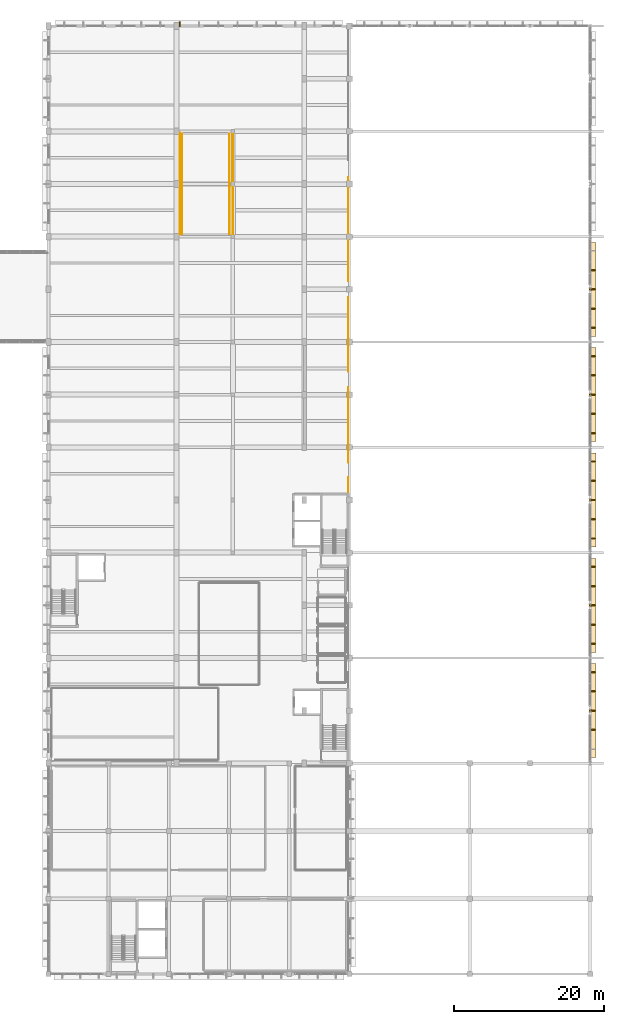
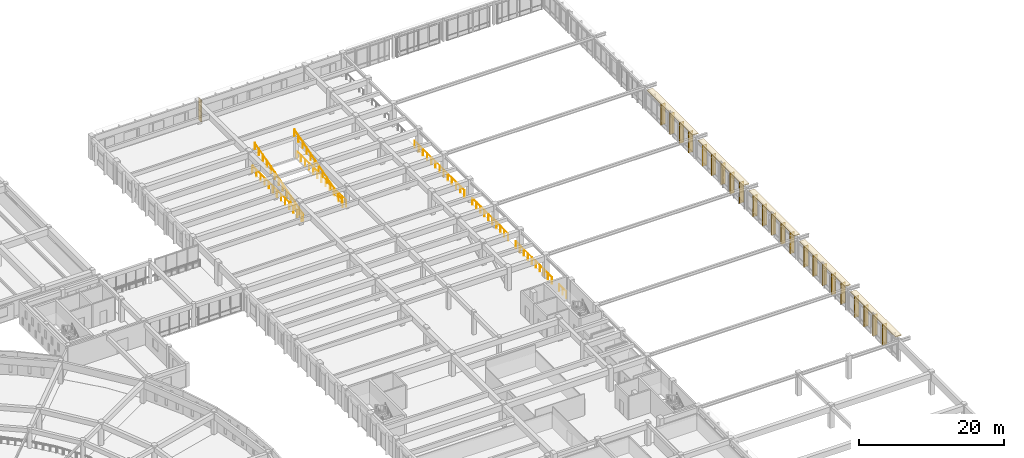
# One storey, part 97 of 98: 29 coverings, 8 railings.
"""IFC4 building model written with IfcOpenShell, lengths in metres."""

from ifc_helpers import new_model, si_unit, direction, frame, origin, origin_2d, place, context, subcontext, project, spatial, rectangle, circle, extrude, material, layer, layer_set, type_object, element, save


model = new_model("IFC4")

# Units and contexts
model_context = context("Model", 3, precision=1e-05, world=origin(), true_north=direction((0.0, 1.0)))
body_context = subcontext(model_context, "Body", "Model", "MODEL_VIEW")
ifc_project = project(units=[si_unit("LENGTHUNIT", "METRE"), si_unit("AREAUNIT", "SQUARE_METRE"), si_unit("VOLUMEUNIT", "CUBIC_METRE"), si_unit("PLANEANGLEUNIT", "RADIAN"), si_unit("MASSUNIT", "GRAM", prefix="KILO")], contexts=[model_context])

# Site, building, storey
site_placement = place(None, origin())
site = spatial("IfcSite", under=ifc_project, at=site_placement, CompositionType="ELEMENT")
building_placement = place(site_placement, origin())
building = spatial("IfcBuilding", under=site, at=building_placement, Name="Larkveld Mobility Hub", CompositionType="ELEMENT")
storey_placement = place(building_placement, frame((0.0, 0.0, 4.5)))
storey = spatial("IfcBuildingStorey", under=building, at=storey_placement, Name="L01", CompositionType="ELEMENT", Elevation=4.5)

# Coverings
ifc_material_1 = material(Name="Precast concrete C50/60", Category="concrete")
ifc_layer_1 = layer(ifc_material_1, 0.14990234375, Name="Precast concrete C50/60", Category="concrete")
ifc_layer_set_1 = layer_set([ifc_layer_1], Name="Precast concrete C50/60")
covering_type_1 = type_object("IfcCoveringType", Name="COV-QSL-H01", PredefinedType="CLADDING", material=ifc_layer_set_1)
for number, where, z_axis, x_axis, name in (
    (1, (184.340087890625, 35.0, 3.550048828125), (0.0, 0.0, 1.0), (0.0, 1.0, 0.0), "Precast Quebra-Sol Horizontal Sunbreaker QSH-001"),
    (2, (184.340087890625, 49.0, 3.550048828125), (0.0, 0.0, 1.0), (0.0, 1.0, 0.0), "Precast Quebra-Sol Horizontal Sunbreaker QSH-007"),
    (3, (184.340087890625, 63.0, 3.550048828125), (0.0, 0.0, 1.0), (0.0, 1.0, 0.0), "Precast Quebra-Sol Horizontal Sunbreaker QSH-013"),
    (4, (184.340087890625, 77.0, 3.550048828125), (0.0, 0.0, 1.0), (0.0, 1.0, 0.0), "Precast Quebra-Sol Horizontal Sunbreaker QSH-019"),
    (5, (184.340087890625, 91.0, 3.550048828125), (0.0, 0.0, 1.0), (0.0, 1.0, 0.0), "Precast Quebra-Sol Horizontal Sunbreaker QSH-025"),
):
    element("IfcCovering", number, at=place(storey_placement, frame(where, z_axis=z_axis, x_axis=x_axis)), inside=storey, type_object=covering_type_1, Name=name, PredefinedType="CLADDING", context=body_context, shape_type="SweptSolid", body=[
        extrude(rectangle(XDim=12.5, YDim=0.919921875, at=origin_2d()), origin(), (0.0, 0.0, 1.0), 0.14990234375),
    ])
ifc_layer_2 = layer(ifc_material_1, 0.1201171875, Name="Precast concrete C50/60", Category="concrete")
ifc_layer_set_2 = layer_set([ifc_layer_2], Name="Precast concrete C50/60")
covering_type_2 = type_object("IfcCoveringType", Name="COV-QSL-V01", PredefinedType="CLADDING", material=ifc_layer_set_2)
for number, where, z_axis, x_axis, name in (
    (6, (184.239990234375, 32.43994140625, -0.01953125), (0.0, 0.0, 1.0), (0.0, 1.0, 0.0), "Precast Quebra-Sol Vertical Fin QSV-003"),
    (7, (184.239990234375, 35.0, -0.01953125), (0.0, 0.0, 1.0), (0.0, 1.0, 0.0), "Precast Quebra-Sol Vertical Fin QSV-004"),
    (8, (184.239990234375, 37.56005859375, -0.01953125), (0.0, 0.0, 1.0), (0.0, 1.0, 0.0), "Precast Quebra-Sol Vertical Fin QSV-005"),
    (9, (184.239990234375, 40.1201171875, -0.01953125), (0.0, 0.0, 1.0), (0.0, 1.0, 0.0), "Precast Quebra-Sol Vertical Fin QSV-006"),
    (10, (184.239990234375, 43.8798828125, -0.01953125), (0.0, 0.0, 1.0), (0.0, 1.0, 0.0), "Precast Quebra-Sol Vertical Fin QSV-008"),
    (11, (184.239990234375, 46.43994140625, -0.01953125), (0.0, 0.0, 1.0), (0.0, 1.0, 0.0), "Precast Quebra-Sol Vertical Fin QSV-009"),
    (12, (184.239990234375, 49.0, -0.01953125), (0.0, 0.0, 1.0), (0.0, 1.0, 0.0), "Precast Quebra-Sol Vertical Fin QSV-010"),
    (13, (184.239990234375, 51.56005859375, -0.01953125), (0.0, 0.0, 1.0), (0.0, 1.0, 0.0), "Precast Quebra-Sol Vertical Fin QSV-011"),
    (14, (184.239990234375, 54.1201171875, -0.01953125), (0.0, 0.0, 1.0), (0.0, 1.0, 0.0), "Precast Quebra-Sol Vertical Fin QSV-012"),
    (15, (184.239990234375, 57.8798828125, -0.01953125), (0.0, 0.0, 1.0), (0.0, 1.0, 0.0), "Precast Quebra-Sol Vertical Fin QSV-014"),
    (16, (184.239990234375, 60.43994140625, -0.01953125), (0.0, 0.0, 1.0), (0.0, 1.0, 0.0), "Precast Quebra-Sol Vertical Fin QSV-015"),
    (17, (184.239990234375, 63.0, -0.01953125), (0.0, 0.0, 1.0), (0.0, 1.0, 0.0), "Precast Quebra-Sol Vertical Fin QSV-016"),
    (18, (184.239990234375, 65.56005859375, -0.01953125), (0.0, 0.0, 1.0), (0.0, 1.0, 0.0), "Precast Quebra-Sol Vertical Fin QSV-017"),
    (19, (184.239990234375, 68.1201171875, -0.01953125), (0.0, 0.0, 1.0), (0.0, 1.0, 0.0), "Precast Quebra-Sol Vertical Fin QSV-018"),
    (20, (184.239990234375, 71.8798828125, -0.01953125), (0.0, 0.0, 1.0), (0.0, 1.0, 0.0), "Precast Quebra-Sol Vertical Fin QSV-020"),
    (21, (184.239990234375, 74.43994140625, -0.01953125), (0.0, 0.0, 1.0), (0.0, 1.0, 0.0), "Precast Quebra-Sol Vertical Fin QSV-021"),
    (22, (184.239990234375, 77.0, -0.01953125), (0.0, 0.0, 1.0), (0.0, 1.0, 0.0), "Precast Quebra-Sol Vertical Fin QSV-022"),
    (23, (184.239990234375, 79.56005859375, -0.01953125), (0.0, 0.0, 1.0), (0.0, 1.0, 0.0), "Precast Quebra-Sol Vertical Fin QSV-023"),
    (24, (184.239990234375, 82.1201171875, -0.01953125), (0.0, 0.0, 1.0), (0.0, 1.0, 0.0), "Precast Quebra-Sol Vertical Fin QSV-024"),
    (25, (184.239990234375, 85.8798828125, -0.01953125), (0.0, 0.0, 1.0), (0.0, 1.0, 0.0), "Precast Quebra-Sol Vertical Fin QSV-026"),
    (26, (184.239990234375, 88.43994140625, -0.01953125), (0.0, 0.0, 1.0), (0.0, 1.0, 0.0), "Precast Quebra-Sol Vertical Fin QSV-027"),
    (27, (184.239990234375, 91.0, -0.01953125), (0.0, 0.0, 1.0), (0.0, 1.0, 0.0), "Precast Quebra-Sol Vertical Fin QSV-028"),
    (28, (184.239990234375, 93.56005859375, -0.01953125), (0.0, 0.0, 1.0), (0.0, 1.0, 0.0), "Precast Quebra-Sol Vertical Fin QSV-029"),
):
    element("IfcCovering", number, at=place(storey_placement, frame(where, z_axis=z_axis, x_axis=x_axis)), inside=storey, type_object=covering_type_2, Name=name, PredefinedType="CLADDING", context=body_context, shape_type="SweptSolid", body=[
        extrude(rectangle(XDim=0.1201171875, YDim=0.719970703125, at=origin_2d()), origin(), (0.0, 0.0, 1.0), 3.554931640625),
    ])
covering_placement = place(storey_placement, frame((129.43994140625, 126.239990234375, -0.0205078125), z_axis=(0.0, 0.0, 1.0), x_axis=(-1.0, 0.0, 0.0)))
element("IfcCovering", 29, at=covering_placement, inside=storey, type_object=covering_type_2, Name="Precast Quebra-Sol Vertical Fin QSV-442", PredefinedType="CLADDING", context=body_context, shape_type="SweptSolid", body=[
    extrude(rectangle(XDim=0.1201171875, YDim=0.719970703125, at=origin_2d()), origin(), (0.0, 0.0, 1.0), 3.675048828125),
])

# Railings
ifc_material_2 = material(Name="Galvanized Steel S355JR void balustrade", Category="steel")
railing_type_1 = type_object("IfcRailingType", Name="RL-GRD-1120", PredefinedType="GUARDRAIL", material=ifc_material_2)
railing_1_placement = place(storey_placement, frame((129.4599609375, 98.260009765625, 0.0)))
element("IfcRailing", 30, at=railing_1_placement, inside=storey, type_object=railing_type_1, Name="EV Ramp Void West Guard L01 L01-059", PredefinedType="GUARDRAIL", context=body_context, shape_type="SweptSolid", body=[
    extrude(circle(Radius=0.02392578125, at=origin_2d()), frame((0.0, 0.0, 1.09619140625), z_axis=(0.0, 1.0, 0.0), x_axis=(-1.0, 0.0, 0.0)), (0.0, 0.0, 1.0), 13.56005859375),
    extrude(circle(Radius=0.02099609375, at=origin_2d()), origin(), (0.0, 0.0, 1.0), 1.072021484375),
    extrude(circle(Radius=0.02099609375, at=origin_2d()), frame((0.0, 1.1298828125, 0.0)), (0.0, 0.0, 1.0), 1.072021484375),
    extrude(circle(Radius=0.02099609375, at=origin_2d()), frame((0.0, 2.260009765625, 0.0)), (0.0, 0.0, 1.0), 1.072021484375),
    extrude(circle(Radius=0.02099609375, at=origin_2d()), frame((0.0, 3.39013671875, 0.0)), (0.0, 0.0, 1.0), 1.072021484375),
    extrude(circle(Radius=0.02099609375, at=origin_2d()), frame((0.0, 4.52001953125, 0.0)), (0.0, 0.0, 1.0), 1.072021484375),
    extrude(circle(Radius=0.02099609375, at=origin_2d()), frame((0.0, 5.64990234375, 0.0)), (0.0, 0.0, 1.0), 1.072021484375),
    extrude(circle(Radius=0.02099609375, at=origin_2d()), frame((0.0, 6.780029296875, 0.0)), (0.0, 0.0, 1.0), 1.072021484375),
    extrude(circle(Radius=0.02099609375, at=origin_2d()), frame((0.0, 7.91015625, 0.0)), (0.0, 0.0, 1.0), 1.072021484375),
    extrude(circle(Radius=0.02099609375, at=origin_2d()), frame((0.0, 9.0400390625, 0.0)), (0.0, 0.0, 1.0), 1.072021484375),
    extrude(circle(Radius=0.02099609375, at=origin_2d()), frame((0.0, 10.169921875, 0.0)), (0.0, 0.0, 1.0), 1.072021484375),
    extrude(circle(Radius=0.02099609375, at=origin_2d()), frame((0.0, 11.300048828125, 0.0)), (0.0, 0.0, 1.0), 1.072021484375),
    extrude(circle(Radius=0.02099609375, at=origin_2d()), frame((0.0, 12.43017578125, 0.0)), (0.0, 0.0, 1.0), 1.072021484375),
    extrude(circle(Radius=0.02099609375, at=origin_2d()), frame((0.0, 13.56005859375, 0.0)), (0.0, 0.0, 1.0), 1.072021484375),
])
railing_2_placement = place(storey_placement, frame((136.5400390625, 98.260009765625, 0.0)))
element("IfcRailing", 31, at=railing_2_placement, inside=storey, type_object=railing_type_1, Name="EV Ramp Void East Guard L01 L01-060", PredefinedType="GUARDRAIL", context=body_context, shape_type="SweptSolid", body=[
    extrude(circle(Radius=0.02392578125, at=origin_2d()), frame((0.0, 0.0, 1.09619140625), z_axis=(0.0, 1.0, 0.0), x_axis=(-1.0, 0.0, 0.0)), (0.0, 0.0, 1.0), 13.56005859375),
    extrude(circle(Radius=0.02099609375, at=origin_2d()), origin(), (0.0, 0.0, 1.0), 1.072021484375),
    extrude(circle(Radius=0.02099609375, at=origin_2d()), frame((0.0, 1.1298828125, 0.0)), (0.0, 0.0, 1.0), 1.072021484375),
    extrude(circle(Radius=0.02099609375, at=origin_2d()), frame((0.0, 2.260009765625, 0.0)), (0.0, 0.0, 1.0), 1.072021484375),
    extrude(circle(Radius=0.02099609375, at=origin_2d()), frame((0.0, 3.39013671875, 0.0)), (0.0, 0.0, 1.0), 1.072021484375),
    extrude(circle(Radius=0.02099609375, at=origin_2d()), frame((0.0, 4.52001953125, 0.0)), (0.0, 0.0, 1.0), 1.072021484375),
    extrude(circle(Radius=0.02099609375, at=origin_2d()), frame((0.0, 5.64990234375, 0.0)), (0.0, 0.0, 1.0), 1.072021484375),
    extrude(circle(Radius=0.02099609375, at=origin_2d()), frame((0.0, 6.780029296875, 0.0)), (0.0, 0.0, 1.0), 1.072021484375),
    extrude(circle(Radius=0.02099609375, at=origin_2d()), frame((0.0, 7.91015625, 0.0)), (0.0, 0.0, 1.0), 1.072021484375),
    extrude(circle(Radius=0.02099609375, at=origin_2d()), frame((0.0, 9.0400390625, 0.0)), (0.0, 0.0, 1.0), 1.072021484375),
    extrude(circle(Radius=0.02099609375, at=origin_2d()), frame((0.0, 10.169921875, 0.0)), (0.0, 0.0, 1.0), 1.072021484375),
    extrude(circle(Radius=0.02099609375, at=origin_2d()), frame((0.0, 11.300048828125, 0.0)), (0.0, 0.0, 1.0), 1.072021484375),
    extrude(circle(Radius=0.02099609375, at=origin_2d()), frame((0.0, 12.43017578125, 0.0)), (0.0, 0.0, 1.0), 1.072021484375),
    extrude(circle(Radius=0.02099609375, at=origin_2d()), frame((0.0, 13.56005859375, 0.0)), (0.0, 0.0, 1.0), 1.072021484375),
])
railing_3_placement = place(storey_placement, frame((151.840087890625, 64.050048828125, 0.0)))
element("IfcRailing", 32, at=railing_3_placement, inside=storey, type_object=railing_type_1, Name="Bus Hall Overlook Guard Seg 4 L01-071", PredefinedType="GUARDRAIL", context=body_context, shape_type="SweptSolid", body=[
    extrude(circle(Radius=0.02392578125, at=origin_2d()), frame((0.0, 0.0, 1.09619140625), z_axis=(0.0, 1.0, 0.0), x_axis=(-1.0, 0.0, 0.0)), (0.0, 0.0, 1.0), 1.949951171875),
    extrude(circle(Radius=0.02099609375, at=origin_2d()), origin(), (0.0, 0.0, 1.0), 1.072021484375),
    extrude(circle(Radius=0.02099609375, at=origin_2d()), frame((0.0, 0.97509765625, 0.0)), (0.0, 0.0, 1.0), 1.072021484375),
    extrude(circle(Radius=0.02099609375, at=origin_2d()), frame((0.0, 1.949951171875, 0.0)), (0.0, 0.0, 1.0), 1.072021484375),
])
railing_4_placement = place(storey_placement, frame((151.840087890625, 68.0, 0.0)))
element("IfcRailing", 33, at=railing_4_placement, inside=storey, type_object=railing_type_1, Name="Bus Hall Overlook Guard Seg 5 L01-072", PredefinedType="GUARDRAIL", context=body_context, shape_type="SweptSolid", body=[
    extrude(circle(Radius=0.02392578125, at=origin_2d()), frame((0.0, 0.0, 1.09619140625), z_axis=(0.0, 1.0, 0.0), x_axis=(-1.0, 0.0, 0.0)), (0.0, 0.0, 1.0), 9.949951171875),
    extrude(circle(Radius=0.02099609375, at=origin_2d()), origin(), (0.0, 0.0, 1.0), 1.072021484375),
    extrude(circle(Radius=0.02099609375, at=origin_2d()), frame((0.0, 1.10546875, 0.0)), (0.0, 0.0, 1.0), 1.072021484375),
    extrude(circle(Radius=0.02099609375, at=origin_2d()), frame((0.0, 2.211181640625, 0.0)), (0.0, 0.0, 1.0), 1.072021484375),
    extrude(circle(Radius=0.02099609375, at=origin_2d()), frame((0.0, 3.316650390625, 0.0)), (0.0, 0.0, 1.0), 1.072021484375),
    extrude(circle(Radius=0.02099609375, at=origin_2d()), frame((0.0, 4.422119140625, 0.0)), (0.0, 0.0, 1.0), 1.072021484375),
    extrude(circle(Radius=0.02099609375, at=origin_2d()), frame((0.0, 5.52783203125, 0.0)), (0.0, 0.0, 1.0), 1.072021484375),
    extrude(circle(Radius=0.02099609375, at=origin_2d()), frame((0.0, 6.63330078125, 0.0)), (0.0, 0.0, 1.0), 1.072021484375),
    extrude(circle(Radius=0.02099609375, at=origin_2d()), frame((0.0, 7.73876953125, 0.0)), (0.0, 0.0, 1.0), 1.072021484375),
    extrude(circle(Radius=0.02099609375, at=origin_2d()), frame((0.0, 8.844482421875, 0.0)), (0.0, 0.0, 1.0), 1.072021484375),
    extrude(circle(Radius=0.02099609375, at=origin_2d()), frame((0.0, 9.949951171875, 0.0)), (0.0, 0.0, 1.0), 1.072021484375),
])
railing_5_placement = place(storey_placement, frame((151.840087890625, 80.050048828125, 0.0)))
element("IfcRailing", 34, at=railing_5_placement, inside=storey, type_object=railing_type_1, Name="Bus Hall Overlook Guard Seg 6 L01-073", PredefinedType="GUARDRAIL", context=body_context, shape_type="SweptSolid", body=[
    extrude(circle(Radius=0.02392578125, at=origin_2d()), frame((0.0, 0.0, 1.09619140625), z_axis=(0.0, 1.0, 0.0), x_axis=(-1.0, 0.0, 0.0)), (0.0, 0.0, 1.0), 9.849853515625),
    extrude(circle(Radius=0.02099609375, at=origin_2d()), origin(), (0.0, 0.0, 1.0), 1.072021484375),
    extrude(circle(Radius=0.02099609375, at=origin_2d()), frame((0.0, 1.094482421875, 0.0)), (0.0, 0.0, 1.0), 1.072021484375),
    extrude(circle(Radius=0.02099609375, at=origin_2d()), frame((0.0, 2.18896484375, 0.0)), (0.0, 0.0, 1.0), 1.072021484375),
    extrude(circle(Radius=0.02099609375, at=origin_2d()), frame((0.0, 3.283203125, 0.0)), (0.0, 0.0, 1.0), 1.072021484375),
    extrude(circle(Radius=0.02099609375, at=origin_2d()), frame((0.0, 4.377685546875, 0.0)), (0.0, 0.0, 1.0), 1.072021484375),
    extrude(circle(Radius=0.02099609375, at=origin_2d()), frame((0.0, 5.47216796875, 0.0)), (0.0, 0.0, 1.0), 1.072021484375),
    extrude(circle(Radius=0.02099609375, at=origin_2d()), frame((0.0, 6.566650390625, 0.0)), (0.0, 0.0, 1.0), 1.072021484375),
    extrude(circle(Radius=0.02099609375, at=origin_2d()), frame((0.0, 7.660888671875, 0.0)), (0.0, 0.0, 1.0), 1.072021484375),
    extrude(circle(Radius=0.02099609375, at=origin_2d()), frame((0.0, 8.75537109375, 0.0)), (0.0, 0.0, 1.0), 1.072021484375),
    extrude(circle(Radius=0.02099609375, at=origin_2d()), frame((0.0, 9.849853515625, 0.0)), (0.0, 0.0, 1.0), 1.072021484375),
])
railing_6_placement = place(storey_placement, frame((151.840087890625, 92.10009765625, 0.0)))
element("IfcRailing", 35, at=railing_6_placement, inside=storey, type_object=railing_type_1, Name="Bus Hall Overlook Guard Seg 7 L01-074", PredefinedType="GUARDRAIL", context=body_context, shape_type="SweptSolid", body=[
    extrude(circle(Radius=0.02392578125, at=origin_2d()), frame((0.0, 0.0, 1.09619140625), z_axis=(0.0, 1.0, 0.0), x_axis=(-1.0, 0.0, 0.0)), (0.0, 0.0, 1.0), 13.75),
    extrude(circle(Radius=0.02099609375, at=origin_2d()), origin(), (0.0, 0.0, 1.0), 1.072021484375),
    extrude(circle(Radius=0.02099609375, at=origin_2d()), frame((0.0, 1.145751953125, 0.0)), (0.0, 0.0, 1.0), 1.072021484375),
    extrude(circle(Radius=0.02099609375, at=origin_2d()), frame((0.0, 2.291748046875, 0.0)), (0.0, 0.0, 1.0), 1.072021484375),
    extrude(circle(Radius=0.02099609375, at=origin_2d()), frame((0.0, 3.4375, 0.0)), (0.0, 0.0, 1.0), 1.072021484375),
    extrude(circle(Radius=0.02099609375, at=origin_2d()), frame((0.0, 4.583251953125, 0.0)), (0.0, 0.0, 1.0), 1.072021484375),
    extrude(circle(Radius=0.02099609375, at=origin_2d()), frame((0.0, 5.729248046875, 0.0)), (0.0, 0.0, 1.0), 1.072021484375),
    extrude(circle(Radius=0.02099609375, at=origin_2d()), frame((0.0, 6.875, 0.0)), (0.0, 0.0, 1.0), 1.072021484375),
    extrude(circle(Radius=0.02099609375, at=origin_2d()), frame((0.0, 8.020751953125, 0.0)), (0.0, 0.0, 1.0), 1.072021484375),
    extrude(circle(Radius=0.02099609375, at=origin_2d()), frame((0.0, 9.166748046875, 0.0)), (0.0, 0.0, 1.0), 1.072021484375),
    extrude(circle(Radius=0.02099609375, at=origin_2d()), frame((0.0, 10.3125, 0.0)), (0.0, 0.0, 1.0), 1.072021484375),
    extrude(circle(Radius=0.02099609375, at=origin_2d()), frame((0.0, 11.458251953125, 0.0)), (0.0, 0.0, 1.0), 1.072021484375),
    extrude(circle(Radius=0.02099609375, at=origin_2d()), frame((0.0, 12.604248046875, 0.0)), (0.0, 0.0, 1.0), 1.072021484375),
    extrude(circle(Radius=0.02099609375, at=origin_2d()), frame((0.0, 13.75, 0.0)), (0.0, 0.0, 1.0), 1.072021484375),
])
ifc_material_3 = material(Name="Galvanized Steel S355JR vehicle-deck guard", Category="steel")
railing_type_2 = type_object("IfcRailingType", Name="RL-GRD-RMP", PredefinedType="GUARDRAIL", material=ifc_material_3)
railing_7_placement = place(storey_placement, frame((129.739990234375, 98.35009765625, 0.0)))
element("IfcRailing", 36, at=railing_7_placement, inside=storey, type_object=railing_type_2, Name="EV Ramp West Sloped Guard L01-029", PredefinedType="GUARDRAIL", context=body_context, shape_type="SweptSolid", body=[
    extrude(circle(Radius=0.02392578125, at=origin_2d()), frame((0.0, 0.0, 1.1259765625), z_axis=(0.0, 0.959595747294, 0.281382305369), x_axis=(-1.0, 0.0, 0.0)), (0.0, 0.0, 1.0), 13.85986328125),
    extrude(circle(Radius=0.02099609375, at=origin_2d()), origin(), (0.0, 0.0, 1.0), 1.101806640625),
    extrude(circle(Radius=0.02099609375, at=origin_2d()), frame((0.0, 1.1083984375, 0.324951171875)), (0.0, 0.0, 1.0), 1.101806640625),
    extrude(circle(Radius=0.02099609375, at=origin_2d()), frame((0.0, 2.216552734375, 0.64990234375)), (0.0, 0.0, 1.0), 1.101806640625),
    extrude(circle(Radius=0.02099609375, at=origin_2d()), frame((0.0, 3.324951171875, 0.97509765625)), (0.0, 0.0, 1.0), 1.101806640625),
    extrude(circle(Radius=0.02099609375, at=origin_2d()), frame((0.0, 4.433349609375, 1.300048828125)), (0.0, 0.0, 1.0), 1.101806640625),
    extrude(circle(Radius=0.02099609375, at=origin_2d()), frame((0.0, 5.54150390625, 1.625)), (0.0, 0.0, 1.0), 1.101806640625),
    extrude(circle(Radius=0.02099609375, at=origin_2d()), frame((0.0, 6.64990234375, 1.949951171875)), (0.0, 0.0, 1.0), 1.101806640625),
    extrude(circle(Radius=0.02099609375, at=origin_2d()), frame((0.0, 7.75830078125, 2.27490234375)), (0.0, 0.0, 1.0), 1.101806640625),
    extrude(circle(Radius=0.02099609375, at=origin_2d()), frame((0.0, 8.866455078125, 2.599853515625)), (0.0, 0.0, 1.0), 1.101806640625),
    extrude(circle(Radius=0.02099609375, at=origin_2d()), frame((0.0, 9.974853515625, 2.9248046875)), (0.0, 0.0, 1.0), 1.101806640625),
    extrude(circle(Radius=0.02099609375, at=origin_2d()), frame((0.0, 11.083251953125, 3.25)), (0.0, 0.0, 1.0), 1.101806640625),
    extrude(circle(Radius=0.02099609375, at=origin_2d()), frame((0.0, 12.19140625, 3.574951171875)), (0.0, 0.0, 1.0), 1.101806640625),
    extrude(circle(Radius=0.02099609375, at=origin_2d()), frame((0.0, 13.2998046875, 3.89990234375)), (0.0, 0.0, 1.0), 1.101806640625),
])
railing_8_placement = place(storey_placement, frame((136.06005859375, 98.35009765625, 0.0)))
element("IfcRailing", 37, at=railing_8_placement, inside=storey, type_object=railing_type_2, Name="EV Ramp East Sloped Guard L01-030", PredefinedType="GUARDRAIL", context=body_context, shape_type="SweptSolid", body=[
    extrude(circle(Radius=0.02392578125, at=origin_2d()), frame((0.0, 0.0, 1.1259765625), z_axis=(0.0, 0.959595747294, 0.281382305369), x_axis=(-1.0, 0.0, 0.0)), (0.0, 0.0, 1.0), 13.85986328125),
    extrude(circle(Radius=0.02099609375, at=origin_2d()), origin(), (0.0, 0.0, 1.0), 1.101806640625),
    extrude(circle(Radius=0.02099609375, at=origin_2d()), frame((0.0, 1.1083984375, 0.324951171875)), (0.0, 0.0, 1.0), 1.101806640625),
    extrude(circle(Radius=0.02099609375, at=origin_2d()), frame((0.0, 2.216552734375, 0.64990234375)), (0.0, 0.0, 1.0), 1.101806640625),
    extrude(circle(Radius=0.02099609375, at=origin_2d()), frame((0.0, 3.324951171875, 0.97509765625)), (0.0, 0.0, 1.0), 1.101806640625),
    extrude(circle(Radius=0.02099609375, at=origin_2d()), frame((0.0, 4.433349609375, 1.300048828125)), (0.0, 0.0, 1.0), 1.101806640625),
    extrude(circle(Radius=0.02099609375, at=origin_2d()), frame((0.0, 5.54150390625, 1.625)), (0.0, 0.0, 1.0), 1.101806640625),
    extrude(circle(Radius=0.02099609375, at=origin_2d()), frame((0.0, 6.64990234375, 1.949951171875)), (0.0, 0.0, 1.0), 1.101806640625),
    extrude(circle(Radius=0.02099609375, at=origin_2d()), frame((0.0, 7.75830078125, 2.27490234375)), (0.0, 0.0, 1.0), 1.101806640625),
    extrude(circle(Radius=0.02099609375, at=origin_2d()), frame((0.0, 8.866455078125, 2.599853515625)), (0.0, 0.0, 1.0), 1.101806640625),
    extrude(circle(Radius=0.02099609375, at=origin_2d()), frame((0.0, 9.974853515625, 2.9248046875)), (0.0, 0.0, 1.0), 1.101806640625),
    extrude(circle(Radius=0.02099609375, at=origin_2d()), frame((0.0, 11.083251953125, 3.25)), (0.0, 0.0, 1.0), 1.101806640625),
    extrude(circle(Radius=0.02099609375, at=origin_2d()), frame((0.0, 12.19140625, 3.574951171875)), (0.0, 0.0, 1.0), 1.101806640625),
    extrude(circle(Radius=0.02099609375, at=origin_2d()), frame((0.0, 13.2998046875, 3.89990234375)), (0.0, 0.0, 1.0), 1.101806640625),
])

save(model, "model.ifc")
